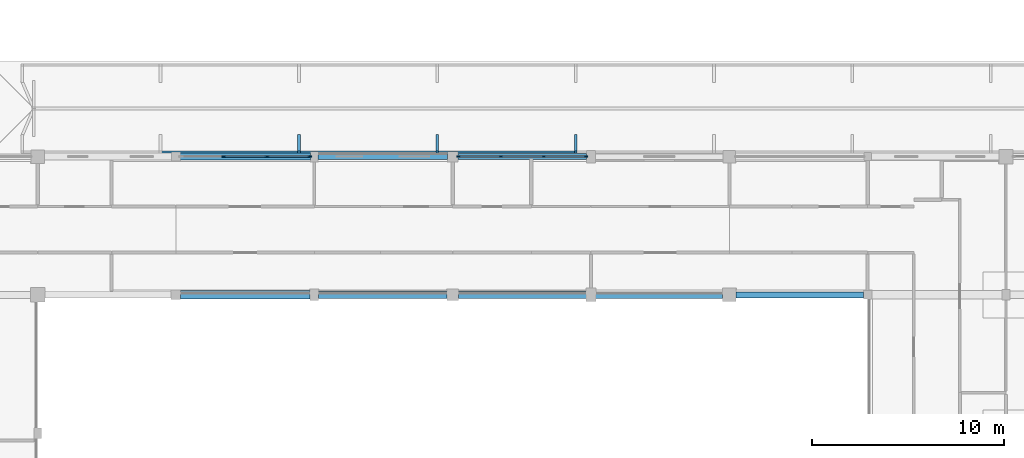
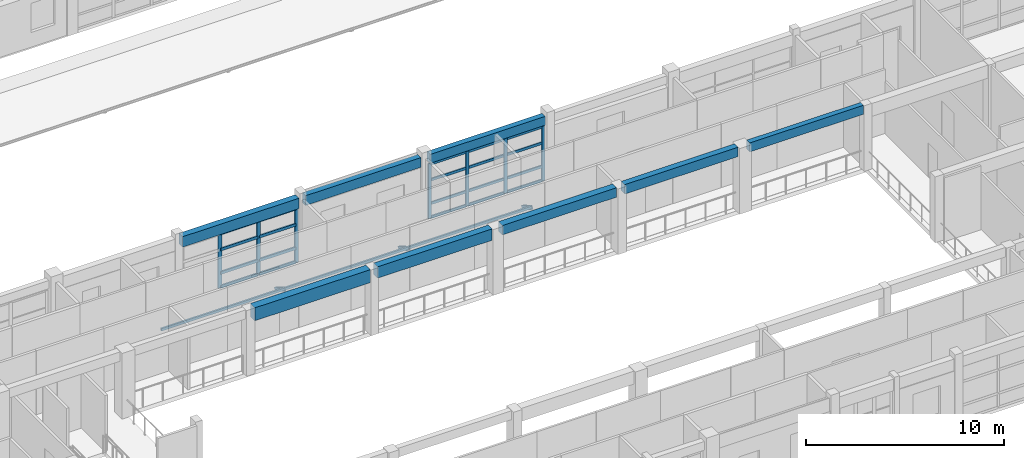
# One storey, part 16 of 110: 33 members, 8 beams, 2 elements without a shape of their own.
"""IFC4 building model written with IfcOpenShell, lengths in metres."""

from ifc_helpers import new_model, si_unit, direction, frame, origin, origin_2d, place, context, subcontext, project, spatial, rectangle, hollow_rectangle, extrude, material, material_profile, profile_set, type_object, element, aggregate, save


model = new_model("IFC4")

# Units and contexts
model_context = context("Model", 3, precision=1e-05, world=origin(), true_north=direction((0.0, 1.0)))
body_context = subcontext(model_context, "Body", "Model", "MODEL_VIEW")
ifc_project = project(units=[si_unit("LENGTHUNIT", "METRE"), si_unit("AREAUNIT", "SQUARE_METRE"), si_unit("VOLUMEUNIT", "CUBIC_METRE"), si_unit("PLANEANGLEUNIT", "RADIAN"), si_unit("MASSUNIT", "GRAM", prefix="KILO")], contexts=[model_context])

# Site, building, storey
site_placement = place(None, origin())
site = spatial("IfcSite", under=ifc_project, at=site_placement, CompositionType="ELEMENT")
building_placement = place(site_placement, origin())
building = spatial("IfcBuilding", under=site, at=building_placement, Name="Steenspoor Specialist Clinic", CompositionType="ELEMENT")
storey_placement = place(building_placement, frame((0.0, 0.0, 4.800048828125)))
storey = spatial("IfcBuildingStorey", under=building, at=storey_placement, Name="L01", CompositionType="ELEMENT", Elevation=4.800048828125)

# Beams
ifc_material_1 = material(Name="Concrete C35/45", Category="concrete")
ifc_material_profile_1 = material_profile(ifc_material_1, rectangle(XDim=0.300048828125, YDim=0.550048828125, at=origin_2d()), Name="RC-BM-300X550")
ifc_profile_set_1 = profile_set([ifc_material_profile_1], Name="Concrete C35/45")
beam_type_1 = type_object("IfcBeamType", Name="BM-RC-300X550", PredefinedType="BEAM", material=ifc_profile_set_1)
beam_1_placement = place(storey_placement, frame((95.945068359375, 34.64990234375, 3.760009765625), z_axis=(1.0, 0.0, 0.0), x_axis=(0.0, 1.0, 0.0)))
element("IfcBeam", 1, at=beam_1_placement, inside=storey, type_object=beam_type_1, Name="BM-V1-L01-X0141", PredefinedType="BEAM", context=body_context, shape_type="SweptSolid", body=[
    extrude(rectangle(XDim=0.300048828125, YDim=0.550048828125, at=origin_2d()), origin(), (0.0, 0.0, 1.0), 6.635009765625),
])
ifc_material_profile_2 = material_profile(ifc_material_1, rectangle(XDim=0.35009765625, YDim=0.580078125, at=origin_2d()), Name="RC-BM-350X580")
ifc_profile_set_2 = profile_set([ifc_material_profile_2], Name="Concrete C35/45")
beam_type_2 = type_object("IfcBeamType", Name="BM-RC-350X580", PredefinedType="BEAM", material=ifc_profile_set_2)
beam_2_placement = place(storey_placement, frame((88.64501953125, 34.64990234375, 3.744873046875), z_axis=(1.0, 0.0, 0.0), x_axis=(0.0, 1.0, 0.0)))
element("IfcBeam", 2, at=beam_2_placement, inside=storey, type_object=beam_type_2, Name="BM-V1-L01-X0140", PredefinedType="BEAM", context=body_context, shape_type="SweptSolid", body=[
    extrude(rectangle(XDim=0.35009765625, YDim=0.580078125, at=origin_2d()), origin(), (0.0, 0.0, 1.0), 6.60986328125),
])
ifc_material_profile_3 = material_profile(ifc_material_1, rectangle(XDim=0.39990234375, YDim=0.580078125, at=origin_2d()), Name="RC-BM-400X580")
ifc_profile_set_3 = profile_set([ifc_material_profile_3], Name="Concrete C35/45")
beam_type_3 = type_object("IfcBeamType", Name="BM-RC-400X580", PredefinedType="BEAM", material=ifc_profile_set_3)
beam_3_placement = place(storey_placement, frame((81.4951171875, 34.64990234375, 3.744873046875), z_axis=(1.0, 0.0, 0.0), x_axis=(0.0, 1.0, 0.0)))
element("IfcBeam", 3, at=beam_3_placement, inside=storey, type_object=beam_type_3, Name="BM-V1-L01-X0139", PredefinedType="BEAM", context=body_context, shape_type="SweptSolid", body=[
    extrude(rectangle(XDim=0.39990234375, YDim=0.580078125, at=origin_2d()), origin(), (0.0, 0.0, 1.0), 6.659912109375),
])
ifc_material_profile_4 = material_profile(ifc_material_1, rectangle(XDim=0.39990234375, YDim=0.699951171875, at=origin_2d()), Name="RC-BM-400X700")
ifc_profile_set_4 = profile_set([ifc_material_profile_4], Name="Concrete C35/45")
beam_type_4 = type_object("IfcBeamType", Name="BM-RC-400X700", PredefinedType="BEAM", material=ifc_profile_set_4)
beam_4_placement = place(storey_placement, frame((74.219970703125, 34.64990234375, 3.68505859375), z_axis=(1.0, 0.0, 0.0), x_axis=(0.0, 1.0, 0.0)))
element("IfcBeam", 4, at=beam_4_placement, inside=storey, type_object=beam_type_4, Name="BM-V1-L01-X0138", PredefinedType="BEAM", context=body_context, shape_type="SweptSolid", body=[
    extrude(rectangle(XDim=0.39990234375, YDim=0.699951171875, at=origin_2d()), origin(), (0.0, 0.0, 1.0), 6.68505859375),
])
ifc_material_profile_5 = material_profile(ifc_material_1, rectangle(XDim=0.449951171875, YDim=0.800048828125, at=origin_2d()), Name="RC-BM-450X800")
ifc_profile_set_5 = profile_set([ifc_material_profile_5], Name="Concrete C35/45")
beam_type_5 = type_object("IfcBeamType", Name="BM-RC-450X800", PredefinedType="BEAM", material=ifc_profile_set_5)
beam_5_placement = place(storey_placement, frame((67.044921875, 34.64990234375, 3.635009765625), z_axis=(1.0, 0.0, 0.0), x_axis=(0.0, 1.0, 0.0)))
element("IfcBeam", 5, at=beam_5_placement, inside=storey, type_object=beam_type_5, Name="BM-V1-L01-X0137", PredefinedType="BEAM", context=body_context, shape_type="SweptSolid", body=[
    extrude(rectangle(XDim=0.449951171875, YDim=0.800048828125, at=origin_2d()), origin(), (0.0, 0.0, 1.0), 6.735107421875),
])

# Curtain wall, members
ifc_material_2 = material(Name="Thermally broken aluminium and low-emissivity glass", Category="aluminium")
curtain_wall_type_1 = type_object("IfcCurtainWallType", Name="CW-HALL-660X820", PredefinedType="USERDEFINED", material=ifc_material_2)
curtain_wall_1_placement = place(storey_placement, origin())
curtain_wall_1 = element("IfcCurtainWall", 6, at=curtain_wall_1_placement, inside=storey, type_object=curtain_wall_type_1, Name="Unitised Curtain Wall CW-V1-L01-025", ObjectType="UNITISED GLAZING", PredefinedType="USERDEFINED")
ifc_material_3 = material(Name="Thermally broken aluminium 6063-T6", Category="aluminium")
ifc_material_profile_6 = material_profile(ifc_material_3, rectangle(XDim=0.080078125, YDim=0.179931640625, at=origin_2d()), Name="CWM-80X180")
ifc_profile_set_6 = profile_set([ifc_material_profile_6], Name="Thermally broken aluminium 6063-T6")
member_type_1 = type_object("IfcMemberType", Name="CW-MULL-80X180", PredefinedType="MULLION", material=ifc_profile_set_6)
member_1_placement = place(storey_placement, frame((81.514892578125, 41.85009765625, 0.0), z_axis=(0.0, 0.0, 1.0), x_axis=(0.0, 1.0, 0.0)))
member_1 = element("IfcMember", 7, at=member_1_placement, type_object=member_type_1, Name="CW-01 mullion 1", PredefinedType="MULLION", context=body_context, shape_type="SweptSolid", body=[
    extrude(rectangle(XDim=0.080078125, YDim=0.179931640625, at=origin_2d()), origin(), (0.0, 0.0, 1.0), 3.3798828125),
])
member_2_placement = place(storey_placement, frame((83.708251953125, 41.85009765625, 0.0), z_axis=(0.0, 0.0, 1.0), x_axis=(0.0, 1.0, 0.0)))
member_2 = element("IfcMember", 8, at=member_2_placement, type_object=member_type_1, Name="CW-01 mullion 2", PredefinedType="MULLION", context=body_context, shape_type="SweptSolid", body=[
    extrude(rectangle(XDim=0.080078125, YDim=0.179931640625, at=origin_2d()), origin(), (0.0, 0.0, 1.0), 3.3798828125),
])
member_3_placement = place(storey_placement, frame((85.941650390625, 41.85009765625, 0.0), z_axis=(0.0, 0.0, 1.0), x_axis=(0.0, 1.0, 0.0)))
member_3 = element("IfcMember", 9, at=member_3_placement, type_object=member_type_1, Name="CW-01 mullion 3", PredefinedType="MULLION", context=body_context, shape_type="SweptSolid", body=[
    extrude(rectangle(XDim=0.080078125, YDim=0.179931640625, at=origin_2d()), origin(), (0.0, 0.0, 1.0), 3.3798828125),
])
member_4_placement = place(storey_placement, frame((88.135009765625, 41.85009765625, 0.0), z_axis=(0.0, 0.0, 1.0), x_axis=(0.0, 1.0, 0.0)))
member_4 = element("IfcMember", 10, at=member_4_placement, type_object=member_type_1, Name="CW-01 mullion 4", PredefinedType="MULLION", context=body_context, shape_type="SweptSolid", body=[
    extrude(rectangle(XDim=0.080078125, YDim=0.179931640625, at=origin_2d()), origin(), (0.0, 0.0, 1.0), 3.3798828125),
])

curtain_wall_type_2 = type_object("IfcCurtainWallType", Name="CW-STR-220X415", PredefinedType="USERDEFINED", material=ifc_material_2)
curtain_wall_2_placement = place(storey_placement, origin())
curtain_wall_2 = element("IfcCurtainWall", 11, at=curtain_wall_2_placement, inside=storey, type_object=curtain_wall_type_2, Name="Unitised Curtain Wall CW-V1-L01-024", ObjectType="UNITISED GLAZING", PredefinedType="USERDEFINED")
ifc_material_profile_7 = material_profile(ifc_material_3, rectangle(XDim=0.080078125, YDim=0.219970703125, at=origin_2d()), Name="CWM-80X220")
ifc_profile_set_7 = profile_set([ifc_material_profile_7], Name="Thermally broken aluminium 6063-T6")
member_type_2 = type_object("IfcMemberType", Name="CW-MULL-80X220", PredefinedType="MULLION", material=ifc_profile_set_7)
member_5_placement = place(storey_placement, frame((69.283447265625, 41.85009765625, 0.0), z_axis=(0.0, 0.0, 1.0), x_axis=(0.0, 1.0, 0.0)))
member_5 = element("IfcMember", 12, at=member_5_placement, type_object=member_type_2, Name="CW-24 mullion 2", PredefinedType="MULLION", context=body_context, shape_type="SweptSolid", body=[
    extrude(rectangle(XDim=0.080078125, YDim=0.219970703125, at=origin_2d()), origin(), (0.0, 0.0, 1.0), 3.3798828125),
])
member_6_placement = place(storey_placement, frame((71.541748046875, 41.85009765625, 0.0), z_axis=(0.0, 0.0, 1.0), x_axis=(0.0, 1.0, 0.0)))
member_6 = element("IfcMember", 13, at=member_6_placement, type_object=member_type_2, Name="CW-24 mullion 3", PredefinedType="MULLION", context=body_context, shape_type="SweptSolid", body=[
    extrude(rectangle(XDim=0.080078125, YDim=0.219970703125, at=origin_2d()), origin(), (0.0, 0.0, 1.0), 3.3798828125),
])
member_7_placement = place(storey_placement, frame((73.760009765625, 41.85009765625, 0.0), z_axis=(0.0, 0.0, 1.0), x_axis=(0.0, 1.0, 0.0)))
member_7 = element("IfcMember", 14, at=member_7_placement, type_object=member_type_2, Name="CW-24 mullion 4", PredefinedType="MULLION", context=body_context, shape_type="SweptSolid", body=[
    extrude(rectangle(XDim=0.080078125, YDim=0.219970703125, at=origin_2d()), origin(), (0.0, 0.0, 1.0), 3.3798828125),
])

# Member
ifc_material_profile_8 = material_profile(ifc_material_3, rectangle(XDim=0.080078125, YDim=0.159912109375, at=origin_2d()), Name="CWT-80X160")
ifc_profile_set_8 = profile_set([ifc_material_profile_8], Name="Thermally broken aluminium 6063-T6")
member_type_3 = type_object("IfcMemberType", Name="CW-TRAN-80X160", PredefinedType="USERDEFINED", material=ifc_profile_set_8)
member_8_placement = place(storey_placement, frame((81.554931640625, 41.85009765625, 0.0400390625), z_axis=(1.0, 0.0, 0.0), x_axis=(0.0, 1.0, 0.0)))
member_8 = element("IfcMember", 15, at=member_8_placement, type_object=member_type_3, Name="CW-01 transom 1.1", ObjectType="TRANSOM", PredefinedType="USERDEFINED", context=body_context, shape_type="SweptSolid", body=[
    extrude(rectangle(XDim=0.080078125, YDim=0.159912109375, at=origin_2d()), origin(), (0.0, 0.0, 1.0), 2.11328125),
])

member_9_placement = place(storey_placement, frame((81.554931640625, 41.85009765625, 0.89990234375), z_axis=(1.0, 0.0, 0.0), x_axis=(0.0, 1.0, 0.0)))
member_9 = element("IfcMember", 16, at=member_9_placement, type_object=member_type_3, Name="CW-01 transom 1.2", ObjectType="TRANSOM", PredefinedType="USERDEFINED", context=body_context, shape_type="SweptSolid", body=[
    extrude(rectangle(XDim=0.080078125, YDim=0.159912109375, at=origin_2d()), origin(), (0.0, 0.0, 1.0), 2.11328125),
])

member_10_placement = place(storey_placement, frame((81.554931640625, 41.85009765625, 2.349853515625), z_axis=(1.0, 0.0, 0.0), x_axis=(0.0, 1.0, 0.0)))
member_10 = element("IfcMember", 17, at=member_10_placement, type_object=member_type_3, Name="CW-01 transom 1.3", ObjectType="TRANSOM", PredefinedType="USERDEFINED", context=body_context, shape_type="SweptSolid", body=[
    extrude(rectangle(XDim=0.080078125, YDim=0.159912109375, at=origin_2d()), origin(), (0.0, 0.0, 1.0), 2.11328125),
])

member_11_placement = place(storey_placement, frame((81.554931640625, 41.85009765625, 3.33984375), z_axis=(1.0, 0.0, 0.0), x_axis=(0.0, 1.0, 0.0)))
member_11 = element("IfcMember", 18, at=member_11_placement, type_object=member_type_3, Name="CW-01 transom 1.4", ObjectType="TRANSOM", PredefinedType="USERDEFINED", context=body_context, shape_type="SweptSolid", body=[
    extrude(rectangle(XDim=0.080078125, YDim=0.159912109375, at=origin_2d()), origin(), (0.0, 0.0, 1.0), 2.11328125),
])

member_12_placement = place(storey_placement, frame((83.748291015625, 41.85009765625, 0.0400390625), z_axis=(1.0, 0.0, 0.0), x_axis=(0.0, 1.0, 0.0)))
member_12 = element("IfcMember", 19, at=member_12_placement, type_object=member_type_3, Name="CW-01 transom 2.1", ObjectType="TRANSOM", PredefinedType="USERDEFINED", context=body_context, shape_type="SweptSolid", body=[
    extrude(rectangle(XDim=0.080078125, YDim=0.159912109375, at=origin_2d()), origin(), (0.0, 0.0, 1.0), 2.1533203125),
])

member_13_placement = place(storey_placement, frame((83.748291015625, 41.85009765625, 0.89990234375), z_axis=(1.0, 0.0, 0.0), x_axis=(0.0, 1.0, 0.0)))
member_13 = element("IfcMember", 20, at=member_13_placement, type_object=member_type_3, Name="CW-01 transom 2.2", ObjectType="TRANSOM", PredefinedType="USERDEFINED", context=body_context, shape_type="SweptSolid", body=[
    extrude(rectangle(XDim=0.080078125, YDim=0.159912109375, at=origin_2d()), origin(), (0.0, 0.0, 1.0), 2.1533203125),
])

member_14_placement = place(storey_placement, frame((83.748291015625, 41.85009765625, 2.349853515625), z_axis=(1.0, 0.0, 0.0), x_axis=(0.0, 1.0, 0.0)))
member_14 = element("IfcMember", 21, at=member_14_placement, type_object=member_type_3, Name="CW-01 transom 2.3", ObjectType="TRANSOM", PredefinedType="USERDEFINED", context=body_context, shape_type="SweptSolid", body=[
    extrude(rectangle(XDim=0.080078125, YDim=0.159912109375, at=origin_2d()), origin(), (0.0, 0.0, 1.0), 2.1533203125),
])

member_15_placement = place(storey_placement, frame((83.748291015625, 41.85009765625, 3.33984375), z_axis=(1.0, 0.0, 0.0), x_axis=(0.0, 1.0, 0.0)))
member_15 = element("IfcMember", 22, at=member_15_placement, type_object=member_type_3, Name="CW-01 transom 2.4", ObjectType="TRANSOM", PredefinedType="USERDEFINED", context=body_context, shape_type="SweptSolid", body=[
    extrude(rectangle(XDim=0.080078125, YDim=0.159912109375, at=origin_2d()), origin(), (0.0, 0.0, 1.0), 2.1533203125),
])

member_16_placement = place(storey_placement, frame((85.981689453125, 41.85009765625, 0.0400390625), z_axis=(1.0, 0.0, 0.0), x_axis=(0.0, 1.0, 0.0)))
member_16 = element("IfcMember", 23, at=member_16_placement, type_object=member_type_3, Name="CW-01 transom 3.1", ObjectType="TRANSOM", PredefinedType="USERDEFINED", context=body_context, shape_type="SweptSolid", body=[
    extrude(rectangle(XDim=0.080078125, YDim=0.159912109375, at=origin_2d()), origin(), (0.0, 0.0, 1.0), 2.11328125),
])

member_17_placement = place(storey_placement, frame((85.981689453125, 41.85009765625, 0.89990234375), z_axis=(1.0, 0.0, 0.0), x_axis=(0.0, 1.0, 0.0)))
member_17 = element("IfcMember", 24, at=member_17_placement, type_object=member_type_3, Name="CW-01 transom 3.2", ObjectType="TRANSOM", PredefinedType="USERDEFINED", context=body_context, shape_type="SweptSolid", body=[
    extrude(rectangle(XDim=0.080078125, YDim=0.159912109375, at=origin_2d()), origin(), (0.0, 0.0, 1.0), 2.11328125),
])

member_18_placement = place(storey_placement, frame((85.981689453125, 41.85009765625, 2.349853515625), z_axis=(1.0, 0.0, 0.0), x_axis=(0.0, 1.0, 0.0)))
member_18 = element("IfcMember", 25, at=member_18_placement, type_object=member_type_3, Name="CW-01 transom 3.3", ObjectType="TRANSOM", PredefinedType="USERDEFINED", context=body_context, shape_type="SweptSolid", body=[
    extrude(rectangle(XDim=0.080078125, YDim=0.159912109375, at=origin_2d()), origin(), (0.0, 0.0, 1.0), 2.11328125),
])

member_19_placement = place(storey_placement, frame((85.981689453125, 41.85009765625, 3.33984375), z_axis=(1.0, 0.0, 0.0), x_axis=(0.0, 1.0, 0.0)))
member_19 = element("IfcMember", 26, at=member_19_placement, type_object=member_type_3, Name="CW-01 transom 3.4", ObjectType="TRANSOM", PredefinedType="USERDEFINED", context=body_context, shape_type="SweptSolid", body=[
    extrude(rectangle(XDim=0.080078125, YDim=0.159912109375, at=origin_2d()), origin(), (0.0, 0.0, 1.0), 2.11328125),
])

aggregate(curtain_wall_1, [member_1, member_2, member_3, member_4, member_8, member_9, member_10, member_11, member_12, member_13, member_14, member_15, member_16, member_17, member_18, member_19])

ifc_material_profile_9 = material_profile(ifc_material_3, rectangle(XDim=0.090087890625, YDim=0.175048828125, at=origin_2d()), Name="CWT-90X175")
ifc_profile_set_9 = profile_set([ifc_material_profile_9], Name="Thermally broken aluminium 6063-T6")
member_type_4 = type_object("IfcMemberType", Name="CW-TRAN-90X175", PredefinedType="USERDEFINED", material=ifc_profile_set_9)
member_20_placement = place(storey_placement, frame((69.3232421875, 41.85009765625, 0.044921875), z_axis=(1.0, 0.0, 0.0), x_axis=(0.0, 1.0, 0.0)))
member_20 = element("IfcMember", 27, at=member_20_placement, type_object=member_type_4, Name="CW-24 transom 2.1", ObjectType="TRANSOM", PredefinedType="USERDEFINED", context=body_context, shape_type="SweptSolid", body=[
    extrude(rectangle(XDim=0.090087890625, YDim=0.175048828125, at=origin_2d()), origin(), (0.0, 0.0, 1.0), 2.178466796875),
])

member_21_placement = place(storey_placement, frame((69.3232421875, 41.85009765625, 0.89990234375), z_axis=(1.0, 0.0, 0.0), x_axis=(0.0, 1.0, 0.0)))
member_21 = element("IfcMember", 28, at=member_21_placement, type_object=member_type_4, Name="CW-24 transom 2.2", ObjectType="TRANSOM", PredefinedType="USERDEFINED", context=body_context, shape_type="SweptSolid", body=[
    extrude(rectangle(XDim=0.090087890625, YDim=0.175048828125, at=origin_2d()), origin(), (0.0, 0.0, 1.0), 2.178466796875),
])

member_22_placement = place(storey_placement, frame((69.3232421875, 41.85009765625, 2.349853515625), z_axis=(1.0, 0.0, 0.0), x_axis=(0.0, 1.0, 0.0)))
member_22 = element("IfcMember", 29, at=member_22_placement, type_object=member_type_4, Name="CW-24 transom 2.3", ObjectType="TRANSOM", PredefinedType="USERDEFINED", context=body_context, shape_type="SweptSolid", body=[
    extrude(rectangle(XDim=0.090087890625, YDim=0.175048828125, at=origin_2d()), origin(), (0.0, 0.0, 1.0), 2.178466796875),
])

member_23_placement = place(storey_placement, frame((69.3232421875, 41.85009765625, 3.3349609375), z_axis=(1.0, 0.0, 0.0), x_axis=(0.0, 1.0, 0.0)))
member_23 = element("IfcMember", 30, at=member_23_placement, type_object=member_type_4, Name="CW-24 transom 2.4", ObjectType="TRANSOM", PredefinedType="USERDEFINED", context=body_context, shape_type="SweptSolid", body=[
    extrude(rectangle(XDim=0.090087890625, YDim=0.175048828125, at=origin_2d()), origin(), (0.0, 0.0, 1.0), 2.178466796875),
])

member_24_placement = place(storey_placement, frame((71.581787109375, 41.85009765625, 0.044921875), z_axis=(1.0, 0.0, 0.0), x_axis=(0.0, 1.0, 0.0)))
member_24 = element("IfcMember", 31, at=member_24_placement, type_object=member_type_4, Name="CW-24 transom 3.1", ObjectType="TRANSOM", PredefinedType="USERDEFINED", context=body_context, shape_type="SweptSolid", body=[
    extrude(rectangle(XDim=0.090087890625, YDim=0.175048828125, at=origin_2d()), origin(), (0.0, 0.0, 1.0), 2.13818359375),
])

member_25_placement = place(storey_placement, frame((71.581787109375, 41.85009765625, 0.89990234375), z_axis=(1.0, 0.0, 0.0), x_axis=(0.0, 1.0, 0.0)))
member_25 = element("IfcMember", 32, at=member_25_placement, type_object=member_type_4, Name="CW-24 transom 3.2", ObjectType="TRANSOM", PredefinedType="USERDEFINED", context=body_context, shape_type="SweptSolid", body=[
    extrude(rectangle(XDim=0.090087890625, YDim=0.175048828125, at=origin_2d()), origin(), (0.0, 0.0, 1.0), 2.13818359375),
])

member_26_placement = place(storey_placement, frame((71.581787109375, 41.85009765625, 2.349853515625), z_axis=(1.0, 0.0, 0.0), x_axis=(0.0, 1.0, 0.0)))
member_26 = element("IfcMember", 33, at=member_26_placement, type_object=member_type_4, Name="CW-24 transom 3.3", ObjectType="TRANSOM", PredefinedType="USERDEFINED", context=body_context, shape_type="SweptSolid", body=[
    extrude(rectangle(XDim=0.090087890625, YDim=0.175048828125, at=origin_2d()), origin(), (0.0, 0.0, 1.0), 2.13818359375),
])

member_27_placement = place(storey_placement, frame((71.581787109375, 41.85009765625, 3.3349609375), z_axis=(1.0, 0.0, 0.0), x_axis=(0.0, 1.0, 0.0)))
member_27 = element("IfcMember", 34, at=member_27_placement, type_object=member_type_4, Name="CW-24 transom 3.4", ObjectType="TRANSOM", PredefinedType="USERDEFINED", context=body_context, shape_type="SweptSolid", body=[
    extrude(rectangle(XDim=0.090087890625, YDim=0.175048828125, at=origin_2d()), origin(), (0.0, 0.0, 1.0), 2.13818359375),
])

aggregate(curtain_wall_2, [member_5, member_6, member_7, member_20, member_21, member_22, member_23, member_24, member_25, member_26, member_27])

# Members
ifc_material_4 = material(Name="Steel A500 Grade C", Category="steel")
ifc_material_profile_10 = material_profile(ifc_material_4, hollow_rectangle(XDim=0.1015625, YDim=0.15234375, WallThickness=0.005859375, at=origin_2d()), Name="HSS152X102X6.4")
ifc_profile_set_10 = profile_set([ifc_material_profile_10], Name="Steel A500 Grade C")
member_type_5 = type_object("IfcMemberType", Name="MEM-PURLIN-H152", PredefinedType="PURLIN", material=ifc_profile_set_10)
for number, where, z_axis, x_axis, name in (
    (35, (66.0, 42.080078125, -1.571533203125), (1.0, 0.0, 0.0), (0.0, 1.0, 0.0), "Walkway Fascia WK5 601"),
    (36, (73.199951171875, 42.080078125, -1.571533203125), (1.0, 0.0, 0.0), (0.0, 1.0, 0.0), "Walkway Fascia WK5 602"),
):
    element("IfcMember", number, at=place(storey_placement, frame(where, z_axis=z_axis, x_axis=x_axis)), inside=storey, type_object=member_type_5, Name=name, PredefinedType="PURLIN", context=body_context, shape_type="SweptSolid", body=[
        extrude(hollow_rectangle(XDim=0.1015625, YDim=0.15234375, WallThickness=0.005859375, at=origin_2d()), origin(), (0.0, 0.0, 1.0), 7.199951171875),
    ])
member_28_placement = place(storey_placement, frame((80.39990234375, 42.080078125, -1.571533203125), z_axis=(1.0, 0.0, 0.0), x_axis=(0.0, 1.0, 0.0)))
element("IfcMember", 37, at=member_28_placement, inside=storey, type_object=member_type_5, Name="Walkway Fascia WK5 603", PredefinedType="PURLIN", context=body_context, shape_type="SweptSolid", body=[
    extrude(hollow_rectangle(XDim=0.1015625, YDim=0.15234375, WallThickness=0.005859375, at=origin_2d()), origin(), (0.0, 0.0, 1.0), 7.2001953125),
])
ifc_material_5 = material(Name="Glulam GL28h", Category="wood")
ifc_material_profile_11 = material_profile(ifc_material_5, rectangle(XDim=0.139892578125, YDim=0.219970703125, at=origin_2d()), Name="GL28H-140X220")
ifc_profile_set_11 = profile_set([ifc_material_profile_11], Name="Glulam GL28h")
member_type_6 = type_object("IfcMemberType", Name="MEM-RAFTER-GL220", PredefinedType="RAFTER", material=ifc_profile_set_11)
for number, where, z_axis, x_axis, name in (
    (38, (73.199951171875, 42.949951171875, -2.114990234375), (0.0, -0.865930570761, 0.500164219654), (1.0, 0.0, 0.0), "Walkway Eave Outrigger WK5 431"),
    (39, (80.39990234375, 42.949951171875, -2.114990234375), (0.0, -0.865930570761, 0.500164219654), (1.0, 0.0, 0.0), "Walkway Eave Outrigger WK5 433"),
    (40, (87.60009765625, 42.949951171875, -2.114990234375), (0.0, -0.865930570761, 0.500164219654), (1.0, 0.0, 0.0), "Walkway Eave Outrigger WK5 435"),
):
    element("IfcMember", number, at=place(storey_placement, frame(where, z_axis=z_axis, x_axis=x_axis)), inside=storey, type_object=member_type_6, Name=name, PredefinedType="RAFTER", context=body_context, shape_type="SweptSolid", body=[
        extrude(rectangle(XDim=0.139892578125, YDim=0.219970703125, at=origin_2d()), origin(), (0.0, 0.0, 1.0), 1.004638671875),
    ])

# Beams
ifc_material_profile_12 = material_profile(ifc_material_1, rectangle(XDim=0.320068359375, YDim=0.5400390625, at=origin_2d()), Name="RC-SP-320X540")
ifc_profile_set_12 = profile_set([ifc_material_profile_12], Name="Concrete C35/45")
beam_type_6 = type_object("IfcBeamType", Name="SP-RC-320X540", PredefinedType="SPANDREL", material=ifc_profile_set_12)
beam_6_placement = place(storey_placement, frame((81.469970703125, 41.85009765625, 3.764892578125), z_axis=(1.0, 0.0, 0.0), x_axis=(0.0, 1.0, 0.0)))
element("IfcBeam", 41, at=beam_6_placement, inside=storey, type_object=beam_type_6, Name="BM-V1-L01-X0149", PredefinedType="SPANDREL", context=body_context, shape_type="SweptSolid", body=[
    extrude(rectangle(XDim=0.320068359375, YDim=0.5400390625, at=origin_2d()), origin(), (0.0, 0.0, 1.0), 6.7099609375),
])
ifc_material_profile_13 = material_profile(ifc_material_1, rectangle(XDim=0.320068359375, YDim=0.60009765625, at=origin_2d()), Name="RC-SP-320X600")
ifc_profile_set_13 = profile_set([ifc_material_profile_13], Name="Concrete C35/45")
beam_type_7 = type_object("IfcBeamType", Name="SP-RC-320X600", PredefinedType="SPANDREL", material=ifc_profile_set_13)
beam_7_placement = place(storey_placement, frame((74.195068359375, 41.85009765625, 3.73486328125), z_axis=(1.0, 0.0, 0.0), x_axis=(0.0, 1.0, 0.0)))
element("IfcBeam", 42, at=beam_7_placement, inside=storey, type_object=beam_type_7, Name="BM-V1-L01-X0148", PredefinedType="SPANDREL", context=body_context, shape_type="SweptSolid", body=[
    extrude(rectangle(XDim=0.320068359375, YDim=0.60009765625, at=origin_2d()), origin(), (0.0, 0.0, 1.0), 6.73486328125),
])
ifc_material_profile_14 = material_profile(ifc_material_1, rectangle(XDim=0.360107421875, YDim=0.639892578125, at=origin_2d()), Name="RC-SP-360X640")
ifc_profile_set_14 = profile_set([ifc_material_profile_14], Name="Concrete C35/45")
beam_type_8 = type_object("IfcBeamType", Name="SP-RC-360X640", PredefinedType="SPANDREL", material=ifc_profile_set_14)
beam_8_placement = place(storey_placement, frame((67.02001953125, 41.85009765625, 3.71484375), z_axis=(1.0, 0.0, 0.0), x_axis=(0.0, 1.0, 0.0)))
element("IfcBeam", 43, at=beam_8_placement, inside=storey, type_object=beam_type_8, Name="BM-V1-L01-X0147", PredefinedType="SPANDREL", context=body_context, shape_type="SweptSolid", body=[
    extrude(rectangle(XDim=0.360107421875, YDim=0.639892578125, at=origin_2d()), origin(), (0.0, 0.0, 1.0), 6.784912109375),
])

save(model, "model.ifc")
